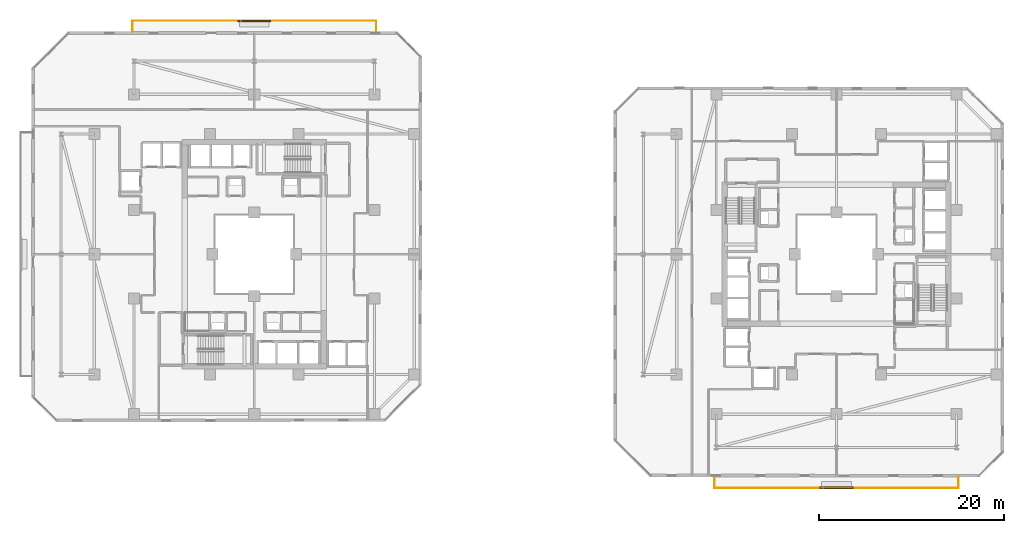
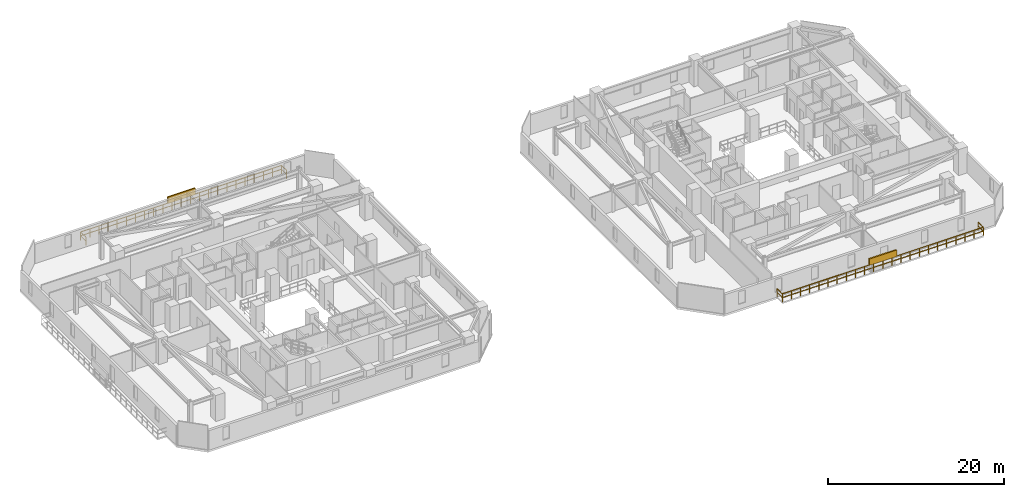
# One storey, part 32 of 33: 2 railings, 2 shading devices.
"""IFC4 building model written with IfcOpenShell, lengths in metres."""

import ifcopenshell
import ifcopenshell.guid

model = None  # the IFC model being written
_history = None  # IfcOwnerHistory: only IFC2X3 demands one
_inside = {}  # id of a spatial element -> (the spatial element, [elements in it])
_under = {}  # id of a project, library or spatial element -> (it, [spatial elements below it])
_declared = {}  # id of a project -> (the project, [libraries it declares])
_typed = {}  # id of a type object -> (the type object, [elements of that type])
_made_of = {}  # id of a material, layer set ... -> (it, [elements and type objects made of it])


def new_model(schema):
    """Start an empty IFC model of exactly this schema.

    Asked for "IFC4X3", IfcOpenShell would pick the latest addendum, in which some entities
    have other attributes; the version numbers below select the first issue.
    IFC2X3 requires an IfcOwnerHistory on every rooted entity: one is made here for all.
    """
    global model, _history
    if schema == "IFC4X3":
        model = ifcopenshell.file(schema_version=(4, 3, 0, 0))
    else:
        model = ifcopenshell.file(schema=schema)
    _inside.clear()
    _under.clear()
    _declared.clear()
    _typed.clear()
    _made_of.clear()
    _history = None
    if model.schema == "IFC2X3":
        org = make("IfcOrganization", Name="unknown")
        user = make(
            "IfcPersonAndOrganization",
            ThePerson=make("IfcPerson", FamilyName="unknown"),
            TheOrganization=org,
        )
        app = make(
            "IfcApplication",
            ApplicationDeveloper=org,
            Version="unknown",
            ApplicationFullName="unknown",
            ApplicationIdentifier="unknown",
        )
        _history = make(
            "IfcOwnerHistory",
            OwningUser=user,
            OwningApplication=app,
            ChangeAction="ADDED",
            CreationDate=0,
        )
    return model


def make(cls, **values):
    """One entity of the class cls with the attributes given. An attribute that is None is left unset."""
    return model.create_entity(
        cls, **{name: value for name, value in values.items() if value is not None}
    )


def rooted(cls, **values):
    """An entity with a GlobalId (a new one), such as an element, a storey or a relation."""
    return make(cls, GlobalId=ifcopenshell.guid.new(), OwnerHistory=_history, **values)


def si_unit(unit_type, name, prefix=None):
    """IfcSIUnit, for example si_unit("LENGTHUNIT", "METRE", prefix="MILLI")."""
    return make("IfcSIUnit", UnitType=unit_type, Prefix=prefix, Name=name)


def assignment(units):
    """IfcUnitAssignment: the units of a project."""
    return None if units is None else make("IfcUnitAssignment", Units=units)


def point(xyz):
    """IfcCartesianPoint."""
    return None if xyz is None else make("IfcCartesianPoint", Coordinates=xyz)


def direction(xyz):
    """IfcDirection."""
    return None if xyz is None else make("IfcDirection", DirectionRatios=xyz)


def frame(location, z_axis=None, x_axis=None):
    """IfcAxis2Placement3D, a coordinate frame: its origin and axes. An axis left out is left unset."""
    return make(
        "IfcAxis2Placement3D",
        Location=point(location),
        Axis=direction(z_axis),
        RefDirection=direction(x_axis),
    )


def frame_2d(location, x_axis=None):
    """IfcAxis2Placement2D, a coordinate frame in the plane: its origin and x axis."""
    return make(
        "IfcAxis2Placement2D", Location=point(location), RefDirection=direction(x_axis)
    )


def origin():
    """The frame at (0, 0, 0) with its axes left unset."""
    return frame((0.0, 0.0, 0.0))


def origin_2d():
    """The frame at (0, 0) in the plane with its x axis left unset."""
    return frame_2d((0.0, 0.0))


def place(relative_to, where):
    """IfcLocalPlacement: puts the frame where relative to a parent placement (None: the world)."""
    return make(
        "IfcLocalPlacement", PlacementRelTo=relative_to, RelativePlacement=where
    )


def context(
    kind, dimensions, precision=None, world=None, true_north=None, identifier=None
):
    """IfcGeometricRepresentationContext, for example the 3D "Model" context."""
    return make(
        "IfcGeometricRepresentationContext",
        ContextIdentifier=identifier,
        ContextType=kind,
        CoordinateSpaceDimension=dimensions,
        Precision=precision,
        WorldCoordinateSystem=world,
        TrueNorth=true_north,
    )


def subcontext(parent, identifier, kind, view, scale=None):
    """IfcGeometricRepresentationSubContext, for example "Body" below "Model"."""
    return make(
        "IfcGeometricRepresentationSubContext",
        ContextIdentifier=identifier,
        ContextType=kind,
        ParentContext=parent,
        TargetScale=scale,
        TargetView=view,
    )


def project(units=None, contexts=None):
    """IfcProject with its units and contexts."""
    return rooted(
        "IfcProject",
        Name="project",
        RepresentationContexts=contexts,
        UnitsInContext=assignment(units),
    )


def spatial(cls, under=None, at=None, **own):
    """A site, building, storey or space (cls), placed at a placement, below another one or the project."""
    s = rooted(cls, ObjectPlacement=at, **own)
    if under is not None:
        _under.setdefault(under.id(), (under, []))[1].append(s)
    return s


def profile(cls, at=None, kind="AREA", **sizes):
    """A parametric profile (cls). Its sizes go by their IFC names, for example OverallWidth=200.0."""
    return make(cls, ProfileType=kind, Position=at, **sizes)


def rectangle(**sizes):
    """IfcRectangleProfileDef."""
    return profile("IfcRectangleProfileDef", **sizes)


def extrude(swept, where, along, depth):
    """IfcExtrudedAreaSolid: the profile swept, set in the frame where, extruded along a direction by depth."""
    return make(
        "IfcExtrudedAreaSolid",
        SweptArea=swept,
        Position=where,
        ExtrudedDirection=direction(along),
        Depth=depth,
    )


def shape(context_of_items, identifier, shape_type, items):
    """IfcShapeRepresentation: the items that make up one representation, for example the "Body"."""
    return make(
        "IfcShapeRepresentation",
        ContextOfItems=context_of_items,
        RepresentationIdentifier=identifier,
        RepresentationType=shape_type,
        Items=items,
    )


def material(Name=None, Category=None):
    """IfcMaterial."""
    return make("IfcMaterial", Name=Name, Category=Category)


def made_of(thing, what):
    """Note that an element or type object is made of a material, layer set ...; save() writes the relation."""
    if what is not None:
        _made_of.setdefault(what.id(), (what, []))[1].append(thing)
    return thing


def type_object(cls, material=None, **own):
    """A type object (cls), such as IfcWallType, which elements share."""
    return made_of(rooted(cls, **own), material)


def element(
    cls,
    number,
    at=None,
    inside=None,
    cuts=None,
    type_object=None,
    material=None,
    context=None,
    identifier="Body",
    shape_type=None,
    held_by="IfcProductDefinitionShape",
    body=None,
    shapes=None,
    **own,
):
    """One element of the class cls, such as IfcWall. Its Tag is "e" and its number.

    at: its placement. inside: the storey or other place that contains it. cuts: it is an
    opening in that element (IfcRelVoidsElement). A single representation is given by context,
    identifier, shape_type and body (its items); several are given by shapes. held_by: the class
    of the entity that holds the representations. save() writes the other relations.
    """
    e = rooted(cls, Tag="e%d" % number, ObjectPlacement=at, **own)
    if body is not None:
        shapes = [shape(context, identifier, shape_type, body)]
    if shapes is not None:
        e.Representation = make(held_by, Representations=shapes)
    if inside is not None:
        _inside.setdefault(inside.id(), (inside, []))[1].append(e)
    if cuts is not None:
        rooted(
            "IfcRelVoidsElement", RelatingBuildingElement=cuts, RelatedOpeningElement=e
        )
    if type_object is not None:
        _typed.setdefault(type_object.id(), (type_object, []))[1].append(e)
    return made_of(e, material)


def aggregate(whole, parts):
    """IfcRelAggregates: a whole, such as a stair, and the parts it consists of."""
    return rooted("IfcRelAggregates", RelatingObject=whole, RelatedObjects=parts)


def save(model, path):
    """Write the relations noted so far, then the file.

    IfcRelAggregates (storeys below a building ...), IfcRelContainedInSpatialStructure (elements
    in a storey), IfcRelDefinesByType, IfcRelAssociatesMaterial and IfcRelDeclares: one each for
    every whole, place, type object, material and project.
    """
    for whole, parts in _under.values():
        aggregate(whole, parts)
    for where, things in _inside.values():
        rooted(
            "IfcRelContainedInSpatialStructure",
            RelatedElements=things,
            RelatingStructure=where,
        )
    for kind, things in _typed.values():
        rooted("IfcRelDefinesByType", RelatedObjects=things, RelatingType=kind)
    for what, things in _made_of.values():
        rooted("IfcRelAssociatesMaterial", RelatedObjects=things, RelatingMaterial=what)
    for by, libraries in _declared.values():
        rooted("IfcRelDeclares", RelatingContext=by, RelatedDefinitions=libraries)
    model.write(path)


model = new_model("IFC4")

# Units and contexts
model_context = context("Model", 3, precision=1e-05, world=origin(), true_north=direction((0.0, 1.0)))
body_context = subcontext(model_context, "Body", "Model", "MODEL_VIEW")
ifc_project = project(units=[si_unit("LENGTHUNIT", "METRE"), si_unit("AREAUNIT", "SQUARE_METRE"), si_unit("VOLUMEUNIT", "CUBIC_METRE"), si_unit("PLANEANGLEUNIT", "RADIAN"), si_unit("MASSUNIT", "GRAM", prefix="KILO")], contexts=[model_context])

# Site, building, storey
site_placement = place(None, origin())
site = spatial("IfcSite", under=ifc_project, at=site_placement, CompositionType="ELEMENT")
building_placement = place(site_placement, origin())
building = spatial("IfcBuilding", under=site, at=building_placement, Name="Thornwick Lancets Civic Towers", CompositionType="ELEMENT")
storey_placement = place(building_placement, frame((0.0, 0.0, 101.699951171875)))
storey = spatial("IfcBuildingStorey", under=building, at=storey_placement, Name="L26", CompositionType="ELEMENT", Elevation=101.699951171875)

# Railings
ifc_material_1 = material(Name="Terracotta-capped laminated glass balustrade S355", Category="masonry")
railing_type = type_object("IfcRailingType", Name="RAIL_TERR_GUARD", PredefinedType="GUARDRAIL", material=ifc_material_1)
railing_1_placement = place(storey_placement, frame((12.300048828125, 51.10009765625, 0.0)))
element("IfcRailing", 1, at=railing_1_placement, inside=storey, type_object=railing_type, Name="L26 Tower A Balcony Guard N", PredefinedType="GUARDRAIL", context=body_context, shape_type="SweptSolid", body=[
    extrude(rectangle(XDim=0.048095703125, YDim=0.048095703125, at=origin_2d()), frame((0.0, 0.0, 1.1259765625), z_axis=(0.0, 1.0, 0.0), x_axis=(-1.0, 0.0, 0.0)), (0.0, 0.0, 1.0), 1.138671875),
    extrude(rectangle(XDim=0.0419921875, YDim=0.0419921875, at=origin_2d()), frame((0.0, 0.03759765625, 0.597900390625), z_axis=(0.0, 1.0, 0.0), x_axis=(-1.0, 0.0, 0.0)), (0.0, 0.0, 1.0), 1.094970703125),
    extrude(rectangle(XDim=0.048095703125, YDim=0.048095703125, at=origin_2d()), frame((0.03125, 1.169921875, 1.1259765625), z_axis=(1.0, 0.0, 0.0), x_axis=(0.0, 1.0, 0.0)), (0.0, 0.0, 1.0), 26.33740234375),
    extrude(rectangle(XDim=0.0419921875, YDim=0.0419921875, at=origin_2d()), frame((0.03759765625, 1.169921875, 0.597900390625), z_axis=(1.0, 0.0, 0.0), x_axis=(0.0, 1.0, 0.0)), (0.0, 0.0, 1.0), 1.125),
    extrude(rectangle(XDim=0.0419921875, YDim=0.0419921875, at=origin_2d()), frame((1.237548828125, 1.169921875, 0.597900390625), z_axis=(1.0, 0.0, 0.0), x_axis=(0.0, 1.0, 0.0)), (0.0, 0.0, 1.0), 1.125),
    extrude(rectangle(XDim=0.0419921875, YDim=0.0419921875, at=origin_2d()), frame((2.4375, 1.169921875, 0.597900390625), z_axis=(1.0, 0.0, 0.0), x_axis=(0.0, 1.0, 0.0)), (0.0, 0.0, 1.0), 1.125),
    extrude(rectangle(XDim=0.0419921875, YDim=0.0419921875, at=origin_2d()), frame((3.637451171875, 1.169921875, 0.597900390625), z_axis=(1.0, 0.0, 0.0), x_axis=(0.0, 1.0, 0.0)), (0.0, 0.0, 1.0), 1.125),
    extrude(rectangle(XDim=0.0419921875, YDim=0.0419921875, at=origin_2d()), frame((4.83740234375, 1.169921875, 0.597900390625), z_axis=(1.0, 0.0, 0.0), x_axis=(0.0, 1.0, 0.0)), (0.0, 0.0, 1.0), 1.125),
    extrude(rectangle(XDim=0.0419921875, YDim=0.0419921875, at=origin_2d()), frame((6.037353515625, 1.169921875, 0.597900390625), z_axis=(1.0, 0.0, 0.0), x_axis=(0.0, 1.0, 0.0)), (0.0, 0.0, 1.0), 1.125),
    extrude(rectangle(XDim=0.0419921875, YDim=0.0419921875, at=origin_2d()), frame((7.237548828125, 1.169921875, 0.597900390625), z_axis=(1.0, 0.0, 0.0), x_axis=(0.0, 1.0, 0.0)), (0.0, 0.0, 1.0), 1.125),
    extrude(rectangle(XDim=0.0419921875, YDim=0.0419921875, at=origin_2d()), frame((8.4375, 1.169921875, 0.597900390625), z_axis=(1.0, 0.0, 0.0), x_axis=(0.0, 1.0, 0.0)), (0.0, 0.0, 1.0), 1.125),
    extrude(rectangle(XDim=0.0419921875, YDim=0.0419921875, at=origin_2d()), frame((9.637451171875, 1.169921875, 0.597900390625), z_axis=(1.0, 0.0, 0.0), x_axis=(0.0, 1.0, 0.0)), (0.0, 0.0, 1.0), 1.125),
    extrude(rectangle(XDim=0.0419921875, YDim=0.0419921875, at=origin_2d()), frame((10.83740234375, 1.169921875, 0.597900390625), z_axis=(1.0, 0.0, 0.0), x_axis=(0.0, 1.0, 0.0)), (0.0, 0.0, 1.0), 1.125),
    extrude(rectangle(XDim=0.0419921875, YDim=0.0419921875, at=origin_2d()), frame((12.037353515625, 1.169921875, 0.597900390625), z_axis=(1.0, 0.0, 0.0), x_axis=(0.0, 1.0, 0.0)), (0.0, 0.0, 1.0), 1.125),
    extrude(rectangle(XDim=0.0419921875, YDim=0.0419921875, at=origin_2d()), frame((13.237548828125, 1.169921875, 0.597900390625), z_axis=(1.0, 0.0, 0.0), x_axis=(0.0, 1.0, 0.0)), (0.0, 0.0, 1.0), 1.125),
    extrude(rectangle(XDim=0.0419921875, YDim=0.0419921875, at=origin_2d()), frame((14.4375, 1.169921875, 0.597900390625), z_axis=(1.0, 0.0, 0.0), x_axis=(0.0, 1.0, 0.0)), (0.0, 0.0, 1.0), 1.125),
    extrude(rectangle(XDim=0.0419921875, YDim=0.0419921875, at=origin_2d()), frame((15.637451171875, 1.169921875, 0.597900390625), z_axis=(1.0, 0.0, 0.0), x_axis=(0.0, 1.0, 0.0)), (0.0, 0.0, 1.0), 1.125),
    extrude(rectangle(XDim=0.0419921875, YDim=0.0419921875, at=origin_2d()), frame((16.83740234375, 1.169921875, 0.597900390625), z_axis=(1.0, 0.0, 0.0), x_axis=(0.0, 1.0, 0.0)), (0.0, 0.0, 1.0), 1.125),
    extrude(rectangle(XDim=0.0419921875, YDim=0.0419921875, at=origin_2d()), frame((18.037353515625, 1.169921875, 0.597900390625), z_axis=(1.0, 0.0, 0.0), x_axis=(0.0, 1.0, 0.0)), (0.0, 0.0, 1.0), 1.125),
    extrude(rectangle(XDim=0.0419921875, YDim=0.0419921875, at=origin_2d()), frame((19.2373046875, 1.169921875, 0.597900390625), z_axis=(1.0, 0.0, 0.0), x_axis=(0.0, 1.0, 0.0)), (0.0, 0.0, 1.0), 1.125),
    extrude(rectangle(XDim=0.0419921875, YDim=0.0419921875, at=origin_2d()), frame((20.4375, 1.169921875, 0.597900390625), z_axis=(1.0, 0.0, 0.0), x_axis=(0.0, 1.0, 0.0)), (0.0, 0.0, 1.0), 1.125),
    extrude(rectangle(XDim=0.0419921875, YDim=0.0419921875, at=origin_2d()), frame((21.637451171875, 1.169921875, 0.597900390625), z_axis=(1.0, 0.0, 0.0), x_axis=(0.0, 1.0, 0.0)), (0.0, 0.0, 1.0), 1.125),
    extrude(rectangle(XDim=0.0419921875, YDim=0.0419921875, at=origin_2d()), frame((22.83740234375, 1.169921875, 0.597900390625), z_axis=(1.0, 0.0, 0.0), x_axis=(0.0, 1.0, 0.0)), (0.0, 0.0, 1.0), 1.125),
    extrude(rectangle(XDim=0.0419921875, YDim=0.0419921875, at=origin_2d()), frame((24.037353515625, 1.169921875, 0.597900390625), z_axis=(1.0, 0.0, 0.0), x_axis=(0.0, 1.0, 0.0)), (0.0, 0.0, 1.0), 1.125),
    extrude(rectangle(XDim=0.0419921875, YDim=0.0419921875, at=origin_2d()), frame((25.2373046875, 1.169921875, 0.597900390625), z_axis=(1.0, 0.0, 0.0), x_axis=(0.0, 1.0, 0.0)), (0.0, 0.0, 1.0), 1.125),
    extrude(rectangle(XDim=0.048095703125, YDim=0.048095703125, at=origin_2d()), frame((26.39990234375, 1.138671875, 1.1259765625), z_axis=(0.0, -1.0, 0.0), x_axis=(1.0, 0.0, 0.0)), (0.0, 0.0, 1.0), 1.138671875),
    extrude(rectangle(XDim=0.0419921875, YDim=0.0419921875, at=origin_2d()), frame((26.39990234375, 1.13232421875, 0.597900390625), z_axis=(0.0, -1.0, 0.0), x_axis=(1.0, 0.0, 0.0)), (0.0, 0.0, 1.0), 1.094970703125),
    extrude(rectangle(XDim=0.0419921875, YDim=0.0419921875, at=origin_2d()), origin(), (0.0, 0.0, 1.0), 1.095703125),
    extrude(rectangle(XDim=0.0419921875, YDim=0.0419921875, at=origin_2d()), frame((0.0, 1.169921875, 0.0)), (0.0, 0.0, 1.0), 1.095703125),
    extrude(rectangle(XDim=0.0419921875, YDim=0.0419921875, at=origin_2d()), frame((1.199951171875, 1.169921875, 0.0)), (0.0, 0.0, 1.0), 1.095703125),
    extrude(rectangle(XDim=0.0419921875, YDim=0.0419921875, at=origin_2d()), frame((2.39990234375, 1.169921875, 0.0)), (0.0, 0.0, 1.0), 1.095703125),
    extrude(rectangle(XDim=0.0419921875, YDim=0.0419921875, at=origin_2d()), frame((3.60009765625, 1.169921875, 0.0)), (0.0, 0.0, 1.0), 1.095703125),
    extrude(rectangle(XDim=0.0419921875, YDim=0.0419921875, at=origin_2d()), frame((4.800048828125, 1.169921875, 0.0)), (0.0, 0.0, 1.0), 1.095703125),
    extrude(rectangle(XDim=0.0419921875, YDim=0.0419921875, at=origin_2d()), frame((6.0, 1.169921875, 0.0)), (0.0, 0.0, 1.0), 1.095703125),
    extrude(rectangle(XDim=0.0419921875, YDim=0.0419921875, at=origin_2d()), frame((7.199951171875, 1.169921875, 0.0)), (0.0, 0.0, 1.0), 1.095703125),
    extrude(rectangle(XDim=0.0419921875, YDim=0.0419921875, at=origin_2d()), frame((8.39990234375, 1.169921875, 0.0)), (0.0, 0.0, 1.0), 1.095703125),
    extrude(rectangle(XDim=0.0419921875, YDim=0.0419921875, at=origin_2d()), frame((9.599853515625, 1.169921875, 0.0)), (0.0, 0.0, 1.0), 1.095703125),
    extrude(rectangle(XDim=0.0419921875, YDim=0.0419921875, at=origin_2d()), frame((10.800048828125, 1.169921875, 0.0)), (0.0, 0.0, 1.0), 1.095703125),
    extrude(rectangle(XDim=0.0419921875, YDim=0.0419921875, at=origin_2d()), frame((12.0, 1.169921875, 0.0)), (0.0, 0.0, 1.0), 1.095703125),
    extrude(rectangle(XDim=0.0419921875, YDim=0.0419921875, at=origin_2d()), frame((13.199951171875, 1.169921875, 0.0)), (0.0, 0.0, 1.0), 1.095703125),
    extrude(rectangle(XDim=0.0419921875, YDim=0.0419921875, at=origin_2d()), frame((14.39990234375, 1.169921875, 0.0)), (0.0, 0.0, 1.0), 1.095703125),
    extrude(rectangle(XDim=0.0419921875, YDim=0.0419921875, at=origin_2d()), frame((15.599853515625, 1.169921875, 0.0)), (0.0, 0.0, 1.0), 1.095703125),
    extrude(rectangle(XDim=0.0419921875, YDim=0.0419921875, at=origin_2d()), frame((16.800048828125, 1.169921875, 0.0)), (0.0, 0.0, 1.0), 1.095703125),
    extrude(rectangle(XDim=0.0419921875, YDim=0.0419921875, at=origin_2d()), frame((18.0, 1.169921875, 0.0)), (0.0, 0.0, 1.0), 1.095703125),
    extrude(rectangle(XDim=0.0419921875, YDim=0.0419921875, at=origin_2d()), frame((19.199951171875, 1.169921875, 0.0)), (0.0, 0.0, 1.0), 1.095703125),
    extrude(rectangle(XDim=0.0419921875, YDim=0.0419921875, at=origin_2d()), frame((20.39990234375, 1.169921875, 0.0)), (0.0, 0.0, 1.0), 1.095703125),
    extrude(rectangle(XDim=0.0419921875, YDim=0.0419921875, at=origin_2d()), frame((21.599853515625, 1.169921875, 0.0)), (0.0, 0.0, 1.0), 1.095703125),
    extrude(rectangle(XDim=0.0419921875, YDim=0.0419921875, at=origin_2d()), frame((22.7998046875, 1.169921875, 0.0)), (0.0, 0.0, 1.0), 1.095703125),
    extrude(rectangle(XDim=0.0419921875, YDim=0.0419921875, at=origin_2d()), frame((24.0, 1.169921875, 0.0)), (0.0, 0.0, 1.0), 1.095703125),
    extrude(rectangle(XDim=0.0419921875, YDim=0.0419921875, at=origin_2d()), frame((25.199951171875, 1.169921875, 0.0)), (0.0, 0.0, 1.0), 1.095703125),
    extrude(rectangle(XDim=0.0419921875, YDim=0.0419921875, at=origin_2d()), frame((26.39990234375, 1.169921875, 0.0)), (0.0, 0.0, 1.0), 1.095703125),
    extrude(rectangle(XDim=0.0419921875, YDim=0.0419921875, at=origin_2d()), frame((26.39990234375, 0.0, 0.0)), (0.0, 0.0, 1.0), 1.095703125),
])
railing_2_placement = place(storey_placement, frame((75.300048828125, 2.89990234375, 0.0)))
element("IfcRailing", 2, at=railing_2_placement, inside=storey, type_object=railing_type, Name="L26 Tower B Balcony Guard S", PredefinedType="GUARDRAIL", context=body_context, shape_type="SweptSolid", body=[
    extrude(rectangle(XDim=0.048095703125, YDim=0.048095703125, at=origin_2d()), frame((0.0, 0.0, 1.1259765625), z_axis=(0.0, -1.0, 0.0), x_axis=(1.0, 0.0, 0.0)), (0.0, 0.0, 1.0), 1.138671875),
    extrude(rectangle(XDim=0.0419921875, YDim=0.0419921875, at=origin_2d()), frame((0.0, -0.03759765625, 0.597900390625), z_axis=(0.0, -1.0, 0.0), x_axis=(1.0, 0.0, 0.0)), (0.0, 0.0, 1.0), 1.094970703125),
    extrude(rectangle(XDim=0.048095703125, YDim=0.048095703125, at=origin_2d()), frame((0.03125, -1.169921875, 1.1259765625), z_axis=(1.0, 0.0, 0.0), x_axis=(0.0, 1.0, 0.0)), (0.0, 0.0, 1.0), 26.33740234375),
    extrude(rectangle(XDim=0.0419921875, YDim=0.0419921875, at=origin_2d()), frame((0.03759765625, -1.169921875, 0.597900390625), z_axis=(1.0, 0.0, 0.0), x_axis=(0.0, 1.0, 0.0)), (0.0, 0.0, 1.0), 1.125),
    extrude(rectangle(XDim=0.0419921875, YDim=0.0419921875, at=origin_2d()), frame((1.237548828125, -1.169921875, 0.597900390625), z_axis=(1.0, 0.0, 0.0), x_axis=(0.0, 1.0, 0.0)), (0.0, 0.0, 1.0), 1.125),
    extrude(rectangle(XDim=0.0419921875, YDim=0.0419921875, at=origin_2d()), frame((2.4375, -1.169921875, 0.597900390625), z_axis=(1.0, 0.0, 0.0), x_axis=(0.0, 1.0, 0.0)), (0.0, 0.0, 1.0), 1.125),
    extrude(rectangle(XDim=0.0419921875, YDim=0.0419921875, at=origin_2d()), frame((3.637451171875, -1.169921875, 0.597900390625), z_axis=(1.0, 0.0, 0.0), x_axis=(0.0, 1.0, 0.0)), (0.0, 0.0, 1.0), 1.125),
    extrude(rectangle(XDim=0.0419921875, YDim=0.0419921875, at=origin_2d()), frame((4.83740234375, -1.169921875, 0.597900390625), z_axis=(1.0, 0.0, 0.0), x_axis=(0.0, 1.0, 0.0)), (0.0, 0.0, 1.0), 1.125),
    extrude(rectangle(XDim=0.0419921875, YDim=0.0419921875, at=origin_2d()), frame((6.037353515625, -1.169921875, 0.597900390625), z_axis=(1.0, 0.0, 0.0), x_axis=(0.0, 1.0, 0.0)), (0.0, 0.0, 1.0), 1.125),
    extrude(rectangle(XDim=0.0419921875, YDim=0.0419921875, at=origin_2d()), frame((7.237548828125, -1.169921875, 0.597900390625), z_axis=(1.0, 0.0, 0.0), x_axis=(0.0, 1.0, 0.0)), (0.0, 0.0, 1.0), 1.125),
    extrude(rectangle(XDim=0.0419921875, YDim=0.0419921875, at=origin_2d()), frame((8.4375, -1.169921875, 0.597900390625), z_axis=(1.0, 0.0, 0.0), x_axis=(0.0, 1.0, 0.0)), (0.0, 0.0, 1.0), 1.125),
    extrude(rectangle(XDim=0.0419921875, YDim=0.0419921875, at=origin_2d()), frame((9.637451171875, -1.169921875, 0.597900390625), z_axis=(1.0, 0.0, 0.0), x_axis=(0.0, 1.0, 0.0)), (0.0, 0.0, 1.0), 1.125),
    extrude(rectangle(XDim=0.0419921875, YDim=0.0419921875, at=origin_2d()), frame((10.83740234375, -1.169921875, 0.597900390625), z_axis=(1.0, 0.0, 0.0), x_axis=(0.0, 1.0, 0.0)), (0.0, 0.0, 1.0), 1.125),
    extrude(rectangle(XDim=0.0419921875, YDim=0.0419921875, at=origin_2d()), frame((12.037353515625, -1.169921875, 0.597900390625), z_axis=(1.0, 0.0, 0.0), x_axis=(0.0, 1.0, 0.0)), (0.0, 0.0, 1.0), 1.125),
    extrude(rectangle(XDim=0.0419921875, YDim=0.0419921875, at=origin_2d()), frame((13.237548828125, -1.169921875, 0.597900390625), z_axis=(1.0, 0.0, 0.0), x_axis=(0.0, 1.0, 0.0)), (0.0, 0.0, 1.0), 1.125),
    extrude(rectangle(XDim=0.0419921875, YDim=0.0419921875, at=origin_2d()), frame((14.4375, -1.169921875, 0.597900390625), z_axis=(1.0, 0.0, 0.0), x_axis=(0.0, 1.0, 0.0)), (0.0, 0.0, 1.0), 1.125),
    extrude(rectangle(XDim=0.0419921875, YDim=0.0419921875, at=origin_2d()), frame((15.637451171875, -1.169921875, 0.597900390625), z_axis=(1.0, 0.0, 0.0), x_axis=(0.0, 1.0, 0.0)), (0.0, 0.0, 1.0), 1.125),
    extrude(rectangle(XDim=0.0419921875, YDim=0.0419921875, at=origin_2d()), frame((16.83740234375, -1.169921875, 0.597900390625), z_axis=(1.0, 0.0, 0.0), x_axis=(0.0, 1.0, 0.0)), (0.0, 0.0, 1.0), 1.125),
    extrude(rectangle(XDim=0.0419921875, YDim=0.0419921875, at=origin_2d()), frame((18.037353515625, -1.169921875, 0.597900390625), z_axis=(1.0, 0.0, 0.0), x_axis=(0.0, 1.0, 0.0)), (0.0, 0.0, 1.0), 1.125),
    extrude(rectangle(XDim=0.0419921875, YDim=0.0419921875, at=origin_2d()), frame((19.2373046875, -1.169921875, 0.597900390625), z_axis=(1.0, 0.0, 0.0), x_axis=(0.0, 1.0, 0.0)), (0.0, 0.0, 1.0), 1.125),
    extrude(rectangle(XDim=0.0419921875, YDim=0.0419921875, at=origin_2d()), frame((20.4375, -1.169921875, 0.597900390625), z_axis=(1.0, 0.0, 0.0), x_axis=(0.0, 1.0, 0.0)), (0.0, 0.0, 1.0), 1.125),
    extrude(rectangle(XDim=0.0419921875, YDim=0.0419921875, at=origin_2d()), frame((21.637451171875, -1.169921875, 0.597900390625), z_axis=(1.0, 0.0, 0.0), x_axis=(0.0, 1.0, 0.0)), (0.0, 0.0, 1.0), 1.125),
    extrude(rectangle(XDim=0.0419921875, YDim=0.0419921875, at=origin_2d()), frame((22.83740234375, -1.169921875, 0.597900390625), z_axis=(1.0, 0.0, 0.0), x_axis=(0.0, 1.0, 0.0)), (0.0, 0.0, 1.0), 1.125),
    extrude(rectangle(XDim=0.0419921875, YDim=0.0419921875, at=origin_2d()), frame((24.037353515625, -1.169921875, 0.597900390625), z_axis=(1.0, 0.0, 0.0), x_axis=(0.0, 1.0, 0.0)), (0.0, 0.0, 1.0), 1.125),
    extrude(rectangle(XDim=0.0419921875, YDim=0.0419921875, at=origin_2d()), frame((25.2373046875, -1.169921875, 0.597900390625), z_axis=(1.0, 0.0, 0.0), x_axis=(0.0, 1.0, 0.0)), (0.0, 0.0, 1.0), 1.125),
    extrude(rectangle(XDim=0.048095703125, YDim=0.048095703125, at=origin_2d()), frame((26.39990234375, -1.138671875, 1.1259765625), z_axis=(0.0, 1.0, 0.0), x_axis=(-1.0, 0.0, 0.0)), (0.0, 0.0, 1.0), 1.138671875),
    extrude(rectangle(XDim=0.0419921875, YDim=0.0419921875, at=origin_2d()), frame((26.39990234375, -1.13232421875, 0.597900390625), z_axis=(0.0, 1.0, 0.0), x_axis=(-1.0, 0.0, 0.0)), (0.0, 0.0, 1.0), 1.094970703125),
    extrude(rectangle(XDim=0.0419921875, YDim=0.0419921875, at=origin_2d()), origin(), (0.0, 0.0, 1.0), 1.095703125),
    extrude(rectangle(XDim=0.0419921875, YDim=0.0419921875, at=origin_2d()), frame((0.0, -1.169921875, 0.0)), (0.0, 0.0, 1.0), 1.095703125),
    extrude(rectangle(XDim=0.0419921875, YDim=0.0419921875, at=origin_2d()), frame((1.199951171875, -1.169921875, 0.0)), (0.0, 0.0, 1.0), 1.095703125),
    extrude(rectangle(XDim=0.0419921875, YDim=0.0419921875, at=origin_2d()), frame((2.39990234375, -1.169921875, 0.0)), (0.0, 0.0, 1.0), 1.095703125),
    extrude(rectangle(XDim=0.0419921875, YDim=0.0419921875, at=origin_2d()), frame((3.60009765625, -1.169921875, 0.0)), (0.0, 0.0, 1.0), 1.095703125),
    extrude(rectangle(XDim=0.0419921875, YDim=0.0419921875, at=origin_2d()), frame((4.800048828125, -1.169921875, 0.0)), (0.0, 0.0, 1.0), 1.095703125),
    extrude(rectangle(XDim=0.0419921875, YDim=0.0419921875, at=origin_2d()), frame((6.0, -1.169921875, 0.0)), (0.0, 0.0, 1.0), 1.095703125),
    extrude(rectangle(XDim=0.0419921875, YDim=0.0419921875, at=origin_2d()), frame((7.199951171875, -1.169921875, 0.0)), (0.0, 0.0, 1.0), 1.095703125),
    extrude(rectangle(XDim=0.0419921875, YDim=0.0419921875, at=origin_2d()), frame((8.39990234375, -1.169921875, 0.0)), (0.0, 0.0, 1.0), 1.095703125),
    extrude(rectangle(XDim=0.0419921875, YDim=0.0419921875, at=origin_2d()), frame((9.599853515625, -1.169921875, 0.0)), (0.0, 0.0, 1.0), 1.095703125),
    extrude(rectangle(XDim=0.0419921875, YDim=0.0419921875, at=origin_2d()), frame((10.800048828125, -1.169921875, 0.0)), (0.0, 0.0, 1.0), 1.095703125),
    extrude(rectangle(XDim=0.0419921875, YDim=0.0419921875, at=origin_2d()), frame((12.0, -1.169921875, 0.0)), (0.0, 0.0, 1.0), 1.095703125),
    extrude(rectangle(XDim=0.0419921875, YDim=0.0419921875, at=origin_2d()), frame((13.199951171875, -1.169921875, 0.0)), (0.0, 0.0, 1.0), 1.095703125),
    extrude(rectangle(XDim=0.0419921875, YDim=0.0419921875, at=origin_2d()), frame((14.39990234375, -1.169921875, 0.0)), (0.0, 0.0, 1.0), 1.095703125),
    extrude(rectangle(XDim=0.0419921875, YDim=0.0419921875, at=origin_2d()), frame((15.599853515625, -1.169921875, 0.0)), (0.0, 0.0, 1.0), 1.095703125),
    extrude(rectangle(XDim=0.0419921875, YDim=0.0419921875, at=origin_2d()), frame((16.800048828125, -1.169921875, 0.0)), (0.0, 0.0, 1.0), 1.095703125),
    extrude(rectangle(XDim=0.0419921875, YDim=0.0419921875, at=origin_2d()), frame((18.0, -1.169921875, 0.0)), (0.0, 0.0, 1.0), 1.095703125),
    extrude(rectangle(XDim=0.0419921875, YDim=0.0419921875, at=origin_2d()), frame((19.199951171875, -1.169921875, 0.0)), (0.0, 0.0, 1.0), 1.095703125),
    extrude(rectangle(XDim=0.0419921875, YDim=0.0419921875, at=origin_2d()), frame((20.39990234375, -1.169921875, 0.0)), (0.0, 0.0, 1.0), 1.095703125),
    extrude(rectangle(XDim=0.0419921875, YDim=0.0419921875, at=origin_2d()), frame((21.599853515625, -1.169921875, 0.0)), (0.0, 0.0, 1.0), 1.095703125),
    extrude(rectangle(XDim=0.0419921875, YDim=0.0419921875, at=origin_2d()), frame((22.7998046875, -1.169921875, 0.0)), (0.0, 0.0, 1.0), 1.095703125),
    extrude(rectangle(XDim=0.0419921875, YDim=0.0419921875, at=origin_2d()), frame((24.0, -1.169921875, 0.0)), (0.0, 0.0, 1.0), 1.095703125),
    extrude(rectangle(XDim=0.0419921875, YDim=0.0419921875, at=origin_2d()), frame((25.199951171875, -1.169921875, 0.0)), (0.0, 0.0, 1.0), 1.095703125),
    extrude(rectangle(XDim=0.0419921875, YDim=0.0419921875, at=origin_2d()), frame((26.39990234375, -1.169921875, 0.0)), (0.0, 0.0, 1.0), 1.095703125),
    extrude(rectangle(XDim=0.0419921875, YDim=0.0419921875, at=origin_2d()), frame((26.39990234375, 0.0, 0.0)), (0.0, 0.0, 1.0), 1.095703125),
])

# Shading devices
ifc_material_2 = material(Name="Extruded terracotta baguette solar screen", Category="masonry")
shading_device_type = type_object("IfcShadingDeviceType", Name="SHADE_BAGUETTE", PredefinedType="JALOUSIE", material=ifc_material_2)
for number, where, z_axis, x_axis, name in (
    (3, (25.5, 52.260009765625, 1.1201171875), (0.0, 0.0, 1.0), (1.0, 0.0, 0.0), "L26 Tower A Terracotta Baguette Screen N"),
    (4, (88.5, 1.739990234375, 1.1201171875), (0.0, 0.0, 1.0), (1.0, 0.0, 0.0), "L26 Tower B Terracotta Baguette Screen S"),
):
    element("IfcShadingDevice", number, at=place(storey_placement, frame(where, z_axis=z_axis, x_axis=x_axis)), inside=storey, type_object=shading_device_type, Name=name, PredefinedType="JALOUSIE", context=body_context, shape_type="SweptSolid", body=[
        extrude(rectangle(XDim=3.60009765625, YDim=0.179931640625, at=origin_2d()), origin(), (0.0, 0.0, 1.0), 0.89990234375),
    ])

save(model, "model.ifc")
